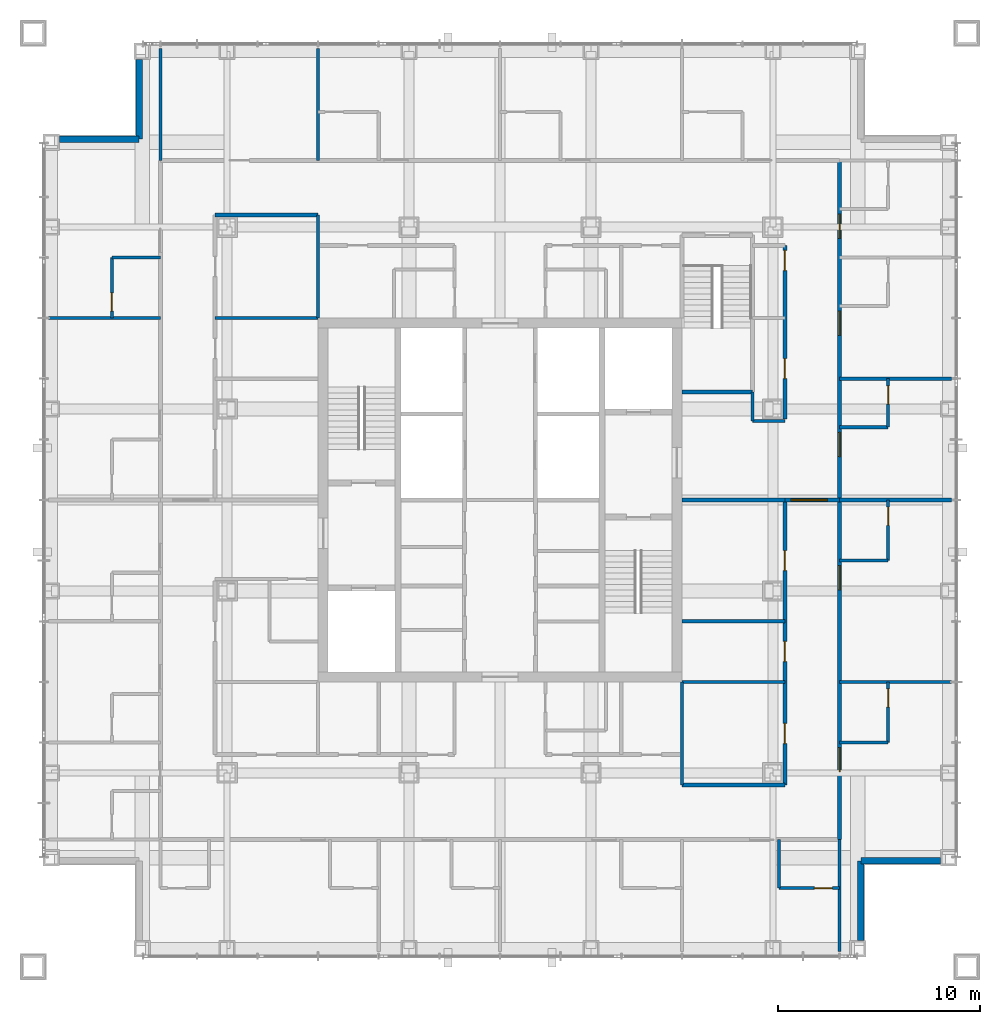
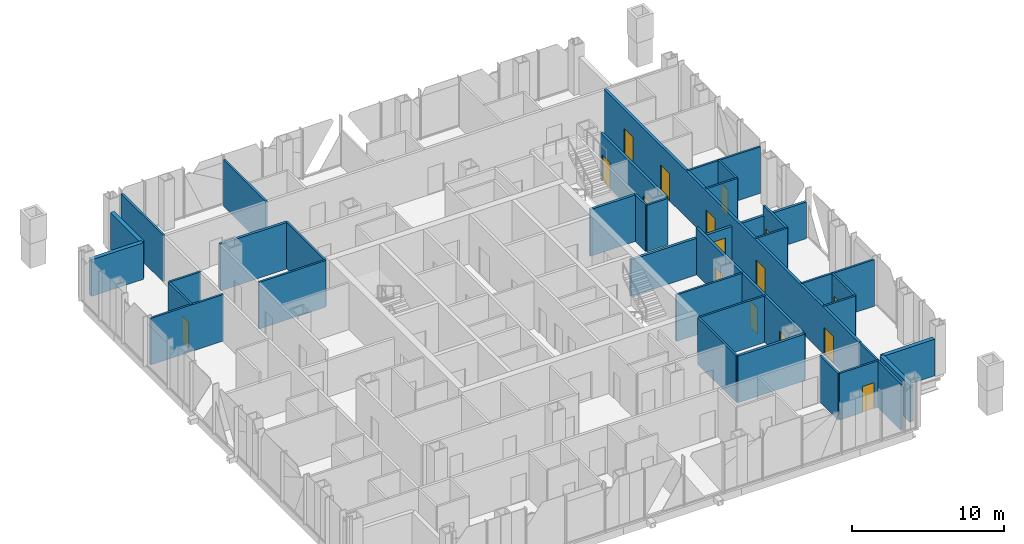
# One storey, part 10 of 25: 36 walls, 16 doors, 16 openings.
"""IFC4 building model written with IfcOpenShell, lengths in metres."""

import ifcopenshell
import ifcopenshell.guid

model = None  # the IFC model being written
_history = None  # IfcOwnerHistory: only IFC2X3 demands one
_inside = {}  # id of a spatial element -> (the spatial element, [elements in it])
_under = {}  # id of a project, library or spatial element -> (it, [spatial elements below it])
_declared = {}  # id of a project -> (the project, [libraries it declares])
_typed = {}  # id of a type object -> (the type object, [elements of that type])
_made_of = {}  # id of a material, layer set ... -> (it, [elements and type objects made of it])


def new_model(schema):
    """Start an empty IFC model of exactly this schema.

    Asked for "IFC4X3", IfcOpenShell would pick the latest addendum, in which some entities
    have other attributes; the version numbers below select the first issue.
    IFC2X3 requires an IfcOwnerHistory on every rooted entity: one is made here for all.
    """
    global model, _history
    if schema == "IFC4X3":
        model = ifcopenshell.file(schema_version=(4, 3, 0, 0))
    else:
        model = ifcopenshell.file(schema=schema)
    _inside.clear()
    _under.clear()
    _declared.clear()
    _typed.clear()
    _made_of.clear()
    _history = None
    if model.schema == "IFC2X3":
        org = make("IfcOrganization", Name="unknown")
        user = make(
            "IfcPersonAndOrganization",
            ThePerson=make("IfcPerson", FamilyName="unknown"),
            TheOrganization=org,
        )
        app = make(
            "IfcApplication",
            ApplicationDeveloper=org,
            Version="unknown",
            ApplicationFullName="unknown",
            ApplicationIdentifier="unknown",
        )
        _history = make(
            "IfcOwnerHistory",
            OwningUser=user,
            OwningApplication=app,
            ChangeAction="ADDED",
            CreationDate=0,
        )
    return model


def make(cls, **values):
    """One entity of the class cls with the attributes given. An attribute that is None is left unset."""
    return model.create_entity(
        cls, **{name: value for name, value in values.items() if value is not None}
    )


def rooted(cls, **values):
    """An entity with a GlobalId (a new one), such as an element, a storey or a relation."""
    return make(cls, GlobalId=ifcopenshell.guid.new(), OwnerHistory=_history, **values)


def si_unit(unit_type, name, prefix=None):
    """IfcSIUnit, for example si_unit("LENGTHUNIT", "METRE", prefix="MILLI")."""
    return make("IfcSIUnit", UnitType=unit_type, Prefix=prefix, Name=name)


def assignment(units):
    """IfcUnitAssignment: the units of a project."""
    return None if units is None else make("IfcUnitAssignment", Units=units)


def point(xyz):
    """IfcCartesianPoint."""
    return None if xyz is None else make("IfcCartesianPoint", Coordinates=xyz)


def direction(xyz):
    """IfcDirection."""
    return None if xyz is None else make("IfcDirection", DirectionRatios=xyz)


def frame(location, z_axis=None, x_axis=None):
    """IfcAxis2Placement3D, a coordinate frame: its origin and axes. An axis left out is left unset."""
    return make(
        "IfcAxis2Placement3D",
        Location=point(location),
        Axis=direction(z_axis),
        RefDirection=direction(x_axis),
    )


def frame_2d(location, x_axis=None):
    """IfcAxis2Placement2D, a coordinate frame in the plane: its origin and x axis."""
    return make(
        "IfcAxis2Placement2D", Location=point(location), RefDirection=direction(x_axis)
    )


def origin():
    """The frame at (0, 0, 0) with its axes left unset."""
    return frame((0.0, 0.0, 0.0))


def place(relative_to, where):
    """IfcLocalPlacement: puts the frame where relative to a parent placement (None: the world)."""
    return make(
        "IfcLocalPlacement", PlacementRelTo=relative_to, RelativePlacement=where
    )


def context(
    kind, dimensions, precision=None, world=None, true_north=None, identifier=None
):
    """IfcGeometricRepresentationContext, for example the 3D "Model" context."""
    return make(
        "IfcGeometricRepresentationContext",
        ContextIdentifier=identifier,
        ContextType=kind,
        CoordinateSpaceDimension=dimensions,
        Precision=precision,
        WorldCoordinateSystem=world,
        TrueNorth=true_north,
    )


def subcontext(parent, identifier, kind, view, scale=None):
    """IfcGeometricRepresentationSubContext, for example "Body" below "Model"."""
    return make(
        "IfcGeometricRepresentationSubContext",
        ContextIdentifier=identifier,
        ContextType=kind,
        ParentContext=parent,
        TargetScale=scale,
        TargetView=view,
    )


def project(units=None, contexts=None):
    """IfcProject with its units and contexts."""
    return rooted(
        "IfcProject",
        Name="project",
        RepresentationContexts=contexts,
        UnitsInContext=assignment(units),
    )


def spatial(cls, under=None, at=None, **own):
    """A site, building, storey or space (cls), placed at a placement, below another one or the project."""
    s = rooted(cls, ObjectPlacement=at, **own)
    if under is not None:
        _under.setdefault(under.id(), (under, []))[1].append(s)
    return s


def profile(cls, at=None, kind="AREA", **sizes):
    """A parametric profile (cls). Its sizes go by their IFC names, for example OverallWidth=200.0."""
    return make(cls, ProfileType=kind, Position=at, **sizes)


def rectangle(**sizes):
    """IfcRectangleProfileDef."""
    return profile("IfcRectangleProfileDef", **sizes)


def extrude(swept, where, along, depth):
    """IfcExtrudedAreaSolid: the profile swept, set in the frame where, extruded along a direction by depth."""
    return make(
        "IfcExtrudedAreaSolid",
        SweptArea=swept,
        Position=where,
        ExtrudedDirection=direction(along),
        Depth=depth,
    )


def shape(context_of_items, identifier, shape_type, items):
    """IfcShapeRepresentation: the items that make up one representation, for example the "Body"."""
    return make(
        "IfcShapeRepresentation",
        ContextOfItems=context_of_items,
        RepresentationIdentifier=identifier,
        RepresentationType=shape_type,
        Items=items,
    )


def material(Name=None, Category=None):
    """IfcMaterial."""
    return make("IfcMaterial", Name=Name, Category=Category)


def layer(
    of_material, thickness, ventilated=None, Name=None, Category=None, Priority=None
):
    """IfcMaterialLayer: one layer of a wall or slab, of a material (None: an air gap)."""
    return make(
        "IfcMaterialLayer",
        Material=of_material,
        LayerThickness=thickness,
        IsVentilated=ventilated,
        Name=Name,
        Category=Category,
        Priority=Priority,
    )


def layer_set(layers, Name=None):
    """IfcMaterialLayerSet."""
    return make("IfcMaterialLayerSet", MaterialLayers=layers, LayerSetName=Name)


def made_of(thing, what):
    """Note that an element or type object is made of a material, layer set ...; save() writes the relation."""
    if what is not None:
        _made_of.setdefault(what.id(), (what, []))[1].append(thing)
    return thing


def type_object(cls, material=None, **own):
    """A type object (cls), such as IfcWallType, which elements share."""
    return made_of(rooted(cls, **own), material)


def element(
    cls,
    number,
    at=None,
    inside=None,
    cuts=None,
    type_object=None,
    material=None,
    context=None,
    identifier="Body",
    shape_type=None,
    held_by="IfcProductDefinitionShape",
    body=None,
    shapes=None,
    **own,
):
    """One element of the class cls, such as IfcWall. Its Tag is "e" and its number.

    at: its placement. inside: the storey or other place that contains it. cuts: it is an
    opening in that element (IfcRelVoidsElement). A single representation is given by context,
    identifier, shape_type and body (its items); several are given by shapes. held_by: the class
    of the entity that holds the representations. save() writes the other relations.
    """
    e = rooted(cls, Tag="e%d" % number, ObjectPlacement=at, **own)
    if body is not None:
        shapes = [shape(context, identifier, shape_type, body)]
    if shapes is not None:
        e.Representation = make(held_by, Representations=shapes)
    if inside is not None:
        _inside.setdefault(inside.id(), (inside, []))[1].append(e)
    if cuts is not None:
        rooted(
            "IfcRelVoidsElement", RelatingBuildingElement=cuts, RelatedOpeningElement=e
        )
    if type_object is not None:
        _typed.setdefault(type_object.id(), (type_object, []))[1].append(e)
    return made_of(e, material)


def fill(opening, filler):
    """IfcRelFillsElement: the door or window that sits in an opening."""
    return rooted(
        "IfcRelFillsElement",
        RelatingOpeningElement=opening,
        RelatedBuildingElement=filler,
    )


def aggregate(whole, parts):
    """IfcRelAggregates: a whole, such as a stair, and the parts it consists of."""
    return rooted("IfcRelAggregates", RelatingObject=whole, RelatedObjects=parts)


def save(model, path):
    """Write the relations noted so far, then the file.

    IfcRelAggregates (storeys below a building ...), IfcRelContainedInSpatialStructure (elements
    in a storey), IfcRelDefinesByType, IfcRelAssociatesMaterial and IfcRelDeclares: one each for
    every whole, place, type object, material and project.
    """
    for whole, parts in _under.values():
        aggregate(whole, parts)
    for where, things in _inside.values():
        rooted(
            "IfcRelContainedInSpatialStructure",
            RelatedElements=things,
            RelatingStructure=where,
        )
    for kind, things in _typed.values():
        rooted("IfcRelDefinesByType", RelatedObjects=things, RelatingType=kind)
    for what, things in _made_of.values():
        rooted("IfcRelAssociatesMaterial", RelatedObjects=things, RelatingMaterial=what)
    for by, libraries in _declared.values():
        rooted("IfcRelDeclares", RelatingContext=by, RelatedDefinitions=libraries)
    model.write(path)


model = new_model("IFC4")

# Units and contexts
model_context = context("Model", 3, precision=1e-05, world=origin(), true_north=direction((0.0, 1.0)))
body_context = subcontext(model_context, "Body", "Model", "MODEL_VIEW")
ifc_project = project(units=[si_unit("LENGTHUNIT", "METRE"), si_unit("AREAUNIT", "SQUARE_METRE"), si_unit("VOLUMEUNIT", "CUBIC_METRE"), si_unit("PLANEANGLEUNIT", "RADIAN"), si_unit("MASSUNIT", "GRAM", prefix="KILO")], contexts=[model_context])

# Site, building, storey
site_placement = place(None, origin())
site = spatial("IfcSite", under=ifc_project, at=site_placement, CompositionType="ELEMENT")
building_placement = place(site_placement, origin())
building = spatial("IfcBuilding", under=site, at=building_placement, Name="Malebo Sky Hospital", CompositionType="ELEMENT")
storey_placement = place(building_placement, frame((0.0, 0.0, 241.0)))
storey = spatial("IfcBuildingStorey", under=building, at=storey_placement, Name="L58", CompositionType="ELEMENT", Elevation=241.0)

# Walls
ifc_material_1 = material(Name="Gypsum board on steel studs", Category="steel")
ifc_layer_1 = layer(ifc_material_1, 0.199951171875)
ifc_layer_set_1 = layer_set([ifc_layer_1], Name="CORRIDOR WALL 200")
wall_type_1 = type_object("IfcWallType", Name="CORRIDOR WALL 200", PredefinedType="PARTITIONING", material=ifc_layer_set_1)
for number, where, z_axis, x_axis, name in (
    (1, (45.89990234375, 76.10009765625, 0.0), (0.0, 0.0, 1.0), (1.0, 0.0, 0.0), "Corridor Wall 200 NCIK"),
    (2, (74.10009765625, 47.89990234375, 0.0), (0.0, 0.0, 1.0), (-1.0, 0.0, 0.0), "Corridor Wall 200 SCIK"),
):
    element("IfcWall", number, at=place(storey_placement, frame(where, z_axis=z_axis, x_axis=x_axis)), inside=storey, type_object=wall_type_1, Name=name, PredefinedType="PARTITIONING", context=body_context, shape_type="SweptSolid", body=[
        extrude(rectangle(XDim=5.10009765625, YDim=0.199951171875, at=frame_2d((2.550048828125, 0.0))), origin(), (0.0, 0.0, 1.0), 3.75),
    ])

# Wall, openings, doors
wall_1_placement = place(storey_placement, frame((76.800048828125, 78.800048828125, 0.0), z_axis=(0.0, 0.0, 1.0), x_axis=(0.0, -1.0, 0.0)))
wall_1 = element("IfcWall", 3, at=wall_1_placement, inside=storey, type_object=wall_type_1, Name="Corridor Wall 200 ECO", PredefinedType="PARTITIONING", context=body_context, shape_type="SweptSolid", body=[
    extrude(rectangle(XDim=33.60009765625, YDim=0.199951171875, at=frame_2d((16.800048828125, 0.0))), origin(), (0.0, 0.0, 1.0), 3.75),
])
opening_1_placement = place(wall_1_placement, frame((2.64990234375, 0.0, 0.0)))
opening_1 = element("IfcOpeningElement", 4, at=opening_1_placement, cuts=wall_1, Name="Opening D01", PredefinedType="OPENING", context=body_context, shape_type="SweptSolid", body=[
    extrude(rectangle(XDim=1.199951171875, YDim=2.199951171875, at=frame_2d((0.60009765625, 1.10009765625))), frame((0.0, 0.10986328125, 0.0), z_axis=(0.0, -1.0, 0.0), x_axis=(1.0, 0.0, 0.0)), (0.0, 0.0, 1.0), 0.219970703125),
])
opening_2_placement = place(wall_1_placement, frame((7.449951171875, 0.0, 0.0)))
opening_2 = element("IfcOpeningElement", 5, at=opening_2_placement, cuts=wall_1, Name="Opening D01", PredefinedType="OPENING", context=body_context, shape_type="SweptSolid", body=[
    extrude(rectangle(XDim=1.199951171875, YDim=2.199951171875, at=frame_2d((0.60009765625, 1.10009765625))), frame((0.0, 0.10986328125, 0.0), z_axis=(0.0, -1.0, 0.0), x_axis=(1.0, 0.0, 0.0)), (0.0, 0.0, 1.0), 0.219970703125),
])
opening_3_placement = place(wall_1_placement, frame((13.449951171875, 0.0, 0.0)))
opening_3 = element("IfcOpeningElement", 6, at=opening_3_placement, cuts=wall_1, Name="Opening D01", PredefinedType="OPENING", context=body_context, shape_type="SweptSolid", body=[
    extrude(rectangle(XDim=1.199951171875, YDim=2.199951171875, at=frame_2d((0.60009765625, 1.10009765625))), frame((0.0, 0.10986328125, 0.0), z_axis=(0.0, -1.0, 0.0), x_axis=(1.0, 0.0, 0.0)), (0.0, 0.0, 1.0), 0.219970703125),
])
opening_4_placement = place(wall_1_placement, frame((20.050048828125, 0.0, 0.0)))
opening_4 = element("IfcOpeningElement", 7, at=opening_4_placement, cuts=wall_1, Name="Opening D01", PredefinedType="OPENING", context=body_context, shape_type="SweptSolid", body=[
    extrude(rectangle(XDim=1.199951171875, YDim=2.199951171875, at=frame_2d((0.60009765625, 1.10009765625))), frame((0.0, 0.10986328125, 0.0), z_axis=(0.0, -1.0, 0.0), x_axis=(1.0, 0.0, 0.0)), (0.0, 0.0, 1.0), 0.219970703125),
])
opening_5_placement = place(wall_1_placement, frame((29.050048828125, 0.0, 0.0)))
opening_5 = element("IfcOpeningElement", 8, at=opening_5_placement, cuts=wall_1, Name="Opening D01", PredefinedType="OPENING", context=body_context, shape_type="SweptSolid", body=[
    extrude(rectangle(XDim=1.199951171875, YDim=2.199951171875, at=frame_2d((0.60009765625, 1.10009765625))), frame((0.0, 0.10986328125, 0.0), z_axis=(0.0, -1.0, 0.0), x_axis=(1.0, 0.0, 0.0)), (0.0, 0.0, 1.0), 0.219970703125),
])
ifc_material_2 = material(Name="Hardwood-faced door leaf in steel frame", Category="steel")
door_type_1 = type_object("IfcDoorType", Name="BED DOOR 1200", OperationType="SINGLE_SWING_LEFT", PredefinedType="DOOR", material=ifc_material_2)
door_1_placement = place(opening_1_placement, origin())
door_1 = element("IfcDoor", 9, at=door_1_placement, inside=storey, type_object=door_type_1, Name="Single bed room door", OperationType="SINGLE_SWING_LEFT", OverallHeight=2.199951171875, OverallWidth=1.199951171875, PredefinedType="DOOR", context=body_context, shape_type="SweptSolid", body=[
    extrude(rectangle(XDim=1.199951171875, YDim=2.199951171875, at=frame_2d((0.60009765625, 1.10009765625))), frame((0.0, 0.02490234375, 0.0), z_axis=(0.0, -1.0, 0.0), x_axis=(1.0, 0.0, 0.0)), (0.0, 0.0, 1.0), 0.050048828125),
])
fill(opening_1, door_1)
door_2_placement = place(opening_2_placement, origin())
door_2 = element("IfcDoor", 10, at=door_2_placement, inside=storey, type_object=door_type_1, Name="Single bed room door", OperationType="SINGLE_SWING_LEFT", OverallHeight=2.199951171875, OverallWidth=1.199951171875, PredefinedType="DOOR", context=body_context, shape_type="SweptSolid", body=[
    extrude(rectangle(XDim=1.199951171875, YDim=2.199951171875, at=frame_2d((0.60009765625, 1.10009765625))), frame((0.0, 0.02490234375, 0.0), z_axis=(0.0, -1.0, 0.0), x_axis=(1.0, 0.0, 0.0)), (0.0, 0.0, 1.0), 0.050048828125),
])
fill(opening_2, door_2)
door_3_placement = place(opening_3_placement, origin())
door_3 = element("IfcDoor", 11, at=door_3_placement, inside=storey, type_object=door_type_1, Name="Parent room door", OperationType="SINGLE_SWING_LEFT", OverallHeight=2.199951171875, OverallWidth=1.199951171875, PredefinedType="DOOR", context=body_context, shape_type="SweptSolid", body=[
    extrude(rectangle(XDim=1.199951171875, YDim=2.199951171875, at=frame_2d((0.60009765625, 1.10009765625))), frame((0.0, 0.02490234375, 0.0), z_axis=(0.0, -1.0, 0.0), x_axis=(1.0, 0.0, 0.0)), (0.0, 0.0, 1.0), 0.050048828125),
])
fill(opening_3, door_3)
door_4_placement = place(opening_4_placement, origin())
door_4 = element("IfcDoor", 12, at=door_4_placement, inside=storey, type_object=door_type_1, Name="Two-bed room door", OperationType="SINGLE_SWING_LEFT", OverallHeight=2.199951171875, OverallWidth=1.199951171875, PredefinedType="DOOR", context=body_context, shape_type="SweptSolid", body=[
    extrude(rectangle(XDim=1.199951171875, YDim=2.199951171875, at=frame_2d((0.60009765625, 1.10009765625))), frame((0.0, 0.02490234375, 0.0), z_axis=(0.0, -1.0, 0.0), x_axis=(1.0, 0.0, 0.0)), (0.0, 0.0, 1.0), 0.050048828125),
])
fill(opening_4, door_4)
door_5_placement = place(opening_5_placement, origin())
door_5 = element("IfcDoor", 13, at=door_5_placement, inside=storey, type_object=door_type_1, Name="Two-bed room door", OperationType="SINGLE_SWING_LEFT", OverallHeight=2.199951171875, OverallWidth=1.199951171875, PredefinedType="DOOR", context=body_context, shape_type="SweptSolid", body=[
    extrude(rectangle(XDim=1.199951171875, YDim=2.199951171875, at=frame_2d((0.60009765625, 1.10009765625))), frame((0.0, 0.02490234375, 0.0), z_axis=(0.0, -1.0, 0.0), x_axis=(1.0, 0.0, 0.0)), (0.0, 0.0, 1.0), 0.050048828125),
])
fill(opening_5, door_5)

wall_2_placement = place(storey_placement, frame((74.10009765625, 74.60009765625, 0.0), z_axis=(0.0, 0.0, 1.0), x_axis=(0.0, -1.0, 0.0)))
wall_2 = element("IfcWall", 14, at=wall_2_placement, inside=storey, type_object=wall_type_1, Name="Corridor Wall 200 ECI1", PredefinedType="PARTITIONING", context=body_context, shape_type="SweptSolid", body=[
    extrude(rectangle(XDim=8.60009765625, YDim=0.199951171875, at=frame_2d((4.300048828125, 0.0))), origin(), (0.0, 0.0, 1.0), 3.75),
])
opening_6_placement = place(wall_2_placement, frame((0.25, 0.0, 0.0)))
opening_6 = element("IfcOpeningElement", 15, at=opening_6_placement, cuts=wall_2, Name="Opening D03", PredefinedType="OPENING", context=body_context, shape_type="SweptSolid", body=[
    extrude(rectangle(XDim=1.0, YDim=2.10009765625, at=frame_2d((0.5, 1.050048828125))), frame((0.0, 0.10986328125, 0.0), z_axis=(0.0, -1.0, 0.0), x_axis=(1.0, 0.0, 0.0)), (0.0, 0.0, 1.0), 0.219970703125),
])
opening_7_placement = place(wall_2_placement, frame((5.60009765625, 0.0, 0.0)))
opening_7 = element("IfcOpeningElement", 16, at=opening_7_placement, cuts=wall_2, Name="Opening D03", PredefinedType="OPENING", context=body_context, shape_type="SweptSolid", body=[
    extrude(rectangle(XDim=1.0, YDim=2.10009765625, at=frame_2d((0.5, 1.050048828125))), frame((0.0, 0.10986328125, 0.0), z_axis=(0.0, -1.0, 0.0), x_axis=(1.0, 0.0, 0.0)), (0.0, 0.0, 1.0), 0.219970703125),
])
door_type_2 = type_object("IfcDoorType", Name="ROOM DOOR 1000", OperationType="SINGLE_SWING_LEFT", PredefinedType="DOOR", material=ifc_material_2)
door_6_placement = place(opening_6_placement, origin())
door_6 = element("IfcDoor", 17, at=door_6_placement, inside=storey, type_object=door_type_2, Name="Milk kitchen door", OperationType="SINGLE_SWING_LEFT", OverallHeight=2.10009765625, OverallWidth=1.0, PredefinedType="DOOR", context=body_context, shape_type="SweptSolid", body=[
    extrude(rectangle(XDim=1.0, YDim=2.10009765625, at=frame_2d((0.5, 1.050048828125))), frame((0.0, 0.02490234375, 0.0), z_axis=(0.0, -1.0, 0.0), x_axis=(1.0, 0.0, 0.0)), (0.0, 0.0, 1.0), 0.050048828125),
])
fill(opening_6, door_6)
door_7_placement = place(opening_7_placement, origin())
door_7 = element("IfcDoor", 18, at=door_7_placement, inside=storey, type_object=door_type_2, Name="Interview room door", OperationType="SINGLE_SWING_LEFT", OverallHeight=2.10009765625, OverallWidth=1.0, PredefinedType="DOOR", context=body_context, shape_type="SweptSolid", body=[
    extrude(rectangle(XDim=1.0, YDim=2.10009765625, at=frame_2d((0.5, 1.050048828125))), frame((0.0, 0.02490234375, 0.0), z_axis=(0.0, -1.0, 0.0), x_axis=(1.0, 0.0, 0.0)), (0.0, 0.0, 1.0), 0.050048828125),
])
fill(opening_7, door_7)

wall_3_placement = place(storey_placement, frame((74.10009765625, 62.0, 0.0), z_axis=(0.0, 0.0, 1.0), x_axis=(0.0, -1.0, 0.0)))
wall_3 = element("IfcWall", 19, at=wall_3_placement, inside=storey, type_object=wall_type_1, Name="Corridor Wall 200 ECI2", PredefinedType="PARTITIONING", context=body_context, shape_type="SweptSolid", body=[
    extrude(rectangle(XDim=14.10009765625, YDim=0.199951171875, at=frame_2d((7.050048828125, 0.0))), origin(), (0.0, 0.0, 1.0), 3.75),
])
opening_8_placement = place(wall_3_placement, frame((2.5, 0.0, 0.0)))
opening_8 = element("IfcOpeningElement", 20, at=opening_8_placement, cuts=wall_3, Name="Opening D03", PredefinedType="OPENING", context=body_context, shape_type="SweptSolid", body=[
    extrude(rectangle(XDim=1.0, YDim=2.10009765625, at=frame_2d((0.5, 1.050048828125))), frame((0.0, 0.10986328125, 0.0), z_axis=(0.0, -1.0, 0.0), x_axis=(1.0, 0.0, 0.0)), (0.0, 0.0, 1.0), 0.219970703125),
])
opening_9_placement = place(wall_3_placement, frame((7.0, 0.0, 0.0)))
opening_9 = element("IfcOpeningElement", 21, at=opening_9_placement, cuts=wall_3, Name="Opening D03", PredefinedType="OPENING", context=body_context, shape_type="SweptSolid", body=[
    extrude(rectangle(XDim=1.0, YDim=2.10009765625, at=frame_2d((0.5, 1.050048828125))), frame((0.0, 0.10986328125, 0.0), z_axis=(0.0, -1.0, 0.0), x_axis=(1.0, 0.0, 0.0)), (0.0, 0.0, 1.0), 0.219970703125),
])
opening_10_placement = place(wall_3_placement, frame((11.050048828125, 0.0, 0.0)))
opening_10 = element("IfcOpeningElement", 22, at=opening_10_placement, cuts=wall_3, Name="Opening D03", PredefinedType="OPENING", context=body_context, shape_type="SweptSolid", body=[
    extrude(rectangle(XDim=1.0, YDim=2.10009765625, at=frame_2d((0.5, 1.050048828125))), frame((0.0, 0.10986328125, 0.0), z_axis=(0.0, -1.0, 0.0), x_axis=(1.0, 0.0, 0.0)), (0.0, 0.0, 1.0), 0.219970703125),
])
door_8_placement = place(opening_8_placement, origin())
door_8 = element("IfcDoor", 23, at=door_8_placement, inside=storey, type_object=door_type_2, Name="Staff rest room door", OperationType="SINGLE_SWING_LEFT", OverallHeight=2.10009765625, OverallWidth=1.0, PredefinedType="DOOR", context=body_context, shape_type="SweptSolid", body=[
    extrude(rectangle(XDim=1.0, YDim=2.10009765625, at=frame_2d((0.5, 1.050048828125))), frame((0.0, 0.02490234375, 0.0), z_axis=(0.0, -1.0, 0.0), x_axis=(1.0, 0.0, 0.0)), (0.0, 0.0, 1.0), 0.050048828125),
])
fill(opening_8, door_8)
door_9_placement = place(opening_9_placement, origin())
door_9 = element("IfcDoor", 24, at=door_9_placement, inside=storey, type_object=door_type_2, Name="Equipment store door", OperationType="SINGLE_SWING_LEFT", OverallHeight=2.10009765625, OverallWidth=1.0, PredefinedType="DOOR", context=body_context, shape_type="SweptSolid", body=[
    extrude(rectangle(XDim=1.0, YDim=2.10009765625, at=frame_2d((0.5, 1.050048828125))), frame((0.0, 0.02490234375, 0.0), z_axis=(0.0, -1.0, 0.0), x_axis=(1.0, 0.0, 0.0)), (0.0, 0.0, 1.0), 0.050048828125),
])
fill(opening_9, door_9)
door_10_placement = place(opening_10_placement, origin())
door_10 = element("IfcDoor", 25, at=door_10_placement, inside=storey, type_object=door_type_2, Name="Infant equipment store door", OperationType="SINGLE_SWING_RIGHT", OverallHeight=2.10009765625, OverallWidth=1.0, PredefinedType="DOOR", context=body_context, shape_type="SweptSolid", body=[
    extrude(rectangle(XDim=1.0, YDim=2.10009765625, at=frame_2d((0.5, 1.050048828125))), frame((0.0, 0.02490234375, 0.0), z_axis=(0.0, -1.0, 0.0), x_axis=(1.0, 0.0, 0.0)), (0.0, 0.0, 1.0), 0.050048828125),
])
fill(opening_10, door_10)

# Walls
ifc_material_3 = material(Name="Anodised aluminium rainscreen on steel framing", Category="steel")
ifc_layer_2 = layer(ifc_material_3, 0.300048828125)
ifc_layer_set_2 = layer_set([ifc_layer_2], Name="NOTCH RAINSCREEN WALL 300")
wall_type_2 = type_object("IfcWallType", Name="NOTCH RAINSCREEN WALL 300", PredefinedType="ELEMENTEDWALL", material=ifc_layer_set_2)
for number, where, z_axis, x_axis, name in (
    (26, (38.199951171875, 79.85009765625, 0.0), (0.0, 0.0, 1.0), (1.0, 0.0, 0.0), "Notch rainscreen wall W1 L58"),
    (27, (42.14990234375, 79.85009765625, 0.0), (0.0, 0.0, 1.0), (0.0, 1.0, 0.0), "Notch rainscreen wall W2 L58"),
    (28, (81.800048828125, 44.14990234375, 0.0), (0.0, 0.0, 1.0), (-1.0, 0.0, 0.0), "Notch rainscreen wall E1 L58"),
    (29, (77.85009765625, 44.14990234375, 0.0), (0.0, 0.0, 1.0), (0.0, -1.0, 0.0), "Notch rainscreen wall E2 L58"),
):
    element("IfcWall", number, at=place(storey_placement, frame(where, z_axis=z_axis, x_axis=x_axis)), inside=storey, type_object=wall_type_2, Name=name, PredefinedType="ELEMENTEDWALL", context=body_context, shape_type="SweptSolid", body=[
        extrude(rectangle(XDim=3.949951171875, YDim=0.300048828125, at=frame_2d((1.97509765625, 0.0))), origin(), (0.0, 0.0, 1.0), 2.949951171875),
    ])
ifc_layer_3 = layer(ifc_material_1, 0.14990234375)
ifc_layer_set_3 = layer_set([ifc_layer_3], Name="PARTITION 150")
wall_type_3 = type_object("IfcWallType", Name="PARTITION 150", PredefinedType="PARTITIONING", material=ifc_layer_set_3)
for number, where, z_axis, x_axis, name in (
    (30, (51.0, 78.800048828125, 0.0), (0.0, 0.0, 1.0), (0.0, 1.0, 0.0), "Partition 150 NP-9.0"),
    (31, (43.199951171875, 78.800048828125, 0.0), (0.0, 0.0, 1.0), (0.0, 1.0, 0.0), "Partition 150 NP0"),
):
    element("IfcWall", number, at=place(storey_placement, frame(where, z_axis=z_axis, x_axis=x_axis)), inside=storey, type_object=wall_type_3, Name=name, PredefinedType="PARTITIONING", context=body_context, shape_type="SweptSolid", body=[
        extrude(rectangle(XDim=5.550048828125, YDim=0.14990234375, at=frame_2d((2.77490234375, 0.0))), origin(), (0.0, 0.0, 1.0), 3.75),
    ])
wall_4_placement = place(storey_placement, frame((51.0, 71.0, 0.0), z_axis=(0.0, 0.0, 1.0), x_axis=(0.0, 1.0, 0.0)))
element("IfcWall", 32, at=wall_4_placement, inside=storey, type_object=wall_type_3, Name="Partition 150 NSP0", PredefinedType="PARTITIONING", context=body_context, shape_type="SweptSolid", body=[
    extrude(rectangle(XDim=5.10009765625, YDim=0.14990234375, at=frame_2d((2.550048828125, 0.0))), origin(), (0.0, 0.0, 1.0), 3.75),
])
wall_5_placement = place(storey_placement, frame((43.199951171875, 71.0, 0.0), z_axis=(0.0, 0.0, 1.0), x_axis=(-1.0, 0.0, 0.0)))
element("IfcWall", 33, at=wall_5_placement, inside=storey, type_object=wall_type_3, Name="Partition 150 WP+9.0", PredefinedType="PARTITIONING", context=body_context, shape_type="SweptSolid", body=[
    extrude(rectangle(XDim=5.550048828125, YDim=0.14990234375, at=frame_2d((2.77490234375, 0.0))), origin(), (0.0, 0.0, 1.0), 3.75),
])

# Wall, opening, door
wall_6_placement = place(storey_placement, frame((40.800048828125, 71.0, 0.0), z_axis=(0.0, 0.0, 1.0), x_axis=(0.0, 1.0, 0.0)))
wall_6 = element("IfcWall", 34, at=wall_6_placement, inside=storey, type_object=wall_type_3, Name="Partition 150 WE4F", PredefinedType="PARTITIONING", context=body_context, shape_type="SweptSolid", body=[
    extrude(rectangle(XDim=3.0, YDim=0.14990234375, at=frame_2d((1.5, 0.0))), origin(), (0.0, 0.0, 1.0), 3.75),
])
opening_11_placement = place(wall_6_placement, frame((0.35009765625, 0.0, 0.0)))
opening_11 = element("IfcOpeningElement", 35, at=opening_11_placement, cuts=wall_6, Name="Opening D02", PredefinedType="OPENING", context=body_context, shape_type="SweptSolid", body=[
    extrude(rectangle(XDim=0.89990234375, YDim=2.10009765625, at=frame_2d((0.449951171875, 1.050048828125))), frame((0.0, 0.0849609375, 0.0), z_axis=(0.0, -1.0, 0.0), x_axis=(1.0, 0.0, 0.0)), (0.0, 0.0, 1.0), 0.169921875),
])
door_type_3 = type_object("IfcDoorType", Name="EN-SUITE DOOR 900", OperationType="SINGLE_SWING_LEFT", PredefinedType="DOOR", material=ifc_material_2)
door_11_placement = place(opening_11_placement, origin())
door_11 = element("IfcDoor", 36, at=door_11_placement, inside=storey, type_object=door_type_3, Name="En-suite door", OperationType="SINGLE_SWING_LEFT", OverallHeight=2.10009765625, OverallWidth=0.89990234375, PredefinedType="DOOR", context=body_context, shape_type="SweptSolid", body=[
    extrude(rectangle(XDim=0.89990234375, YDim=2.10009765625, at=frame_2d((0.449951171875, 1.050048828125))), frame((0.0, 0.02490234375, 0.0), z_axis=(0.0, -1.0, 0.0), x_axis=(1.0, 0.0, 0.0)), (0.0, 0.0, 1.0), 0.050048828125),
])
fill(opening_11, door_11)

# Walls
wall_7_placement = place(storey_placement, frame((43.199951171875, 74.0, 0.0), z_axis=(0.0, 0.0, 1.0), x_axis=(-1.0, 0.0, 0.0)))
element("IfcWall", 37, at=wall_7_placement, inside=storey, type_object=wall_type_3, Name="Partition 150 WE4S", PredefinedType="PARTITIONING", context=body_context, shape_type="SweptSolid", body=[
    extrude(rectangle(XDim=2.39990234375, YDim=0.14990234375, at=frame_2d((1.199951171875, 0.0))), origin(), (0.0, 0.0, 1.0), 3.75),
])
wall_8_placement = place(storey_placement, frame((51.0, 71.0, 0.0), z_axis=(0.0, 0.0, 1.0), x_axis=(-1.0, 0.0, 0.0)))
element("IfcWall", 38, at=wall_8_placement, inside=storey, type_object=wall_type_3, Name="Partition 150 WSP+9.0", PredefinedType="PARTITIONING", context=body_context, shape_type="SweptSolid", body=[
    extrude(rectangle(XDim=5.10009765625, YDim=0.14990234375, at=frame_2d((2.550048828125, 0.0))), origin(), (0.0, 0.0, 1.0), 3.75),
])
wall_9_placement = place(storey_placement, frame((76.800048828125, 45.199951171875, 0.0), z_axis=(0.0, 0.0, 1.0), x_axis=(0.0, -1.0, 0.0)))
element("IfcWall", 39, at=wall_9_placement, inside=storey, type_object=wall_type_3, Name="Partition 150 SP0", PredefinedType="PARTITIONING", context=body_context, shape_type="SweptSolid", body=[
    extrude(rectangle(XDim=5.550048828125, YDim=0.14990234375, at=frame_2d((2.77490234375, 0.0))), origin(), (0.0, 0.0, 1.0), 3.75),
])

# Wall, opening, door
wall_10_placement = place(storey_placement, frame((76.800048828125, 42.800048828125, 0.0), z_axis=(0.0, 0.0, 1.0), x_axis=(-1.0, 0.0, 0.0)))
wall_10 = element("IfcWall", 40, at=wall_10_placement, inside=storey, type_object=wall_type_3, Name="Partition 150 SE0F", PredefinedType="PARTITIONING", context=body_context, shape_type="SweptSolid", body=[
    extrude(rectangle(XDim=3.0, YDim=0.14990234375, at=frame_2d((1.5, 0.0))), origin(), (0.0, 0.0, 1.0), 3.75),
])
opening_12_placement = place(wall_10_placement, frame((0.35009765625, 0.0, 0.0)))
opening_12 = element("IfcOpeningElement", 41, at=opening_12_placement, cuts=wall_10, Name="Opening D02", PredefinedType="OPENING", context=body_context, shape_type="SweptSolid", body=[
    extrude(rectangle(XDim=0.89990234375, YDim=2.10009765625, at=frame_2d((0.449951171875, 1.050048828125))), frame((0.0, 0.0849609375, 0.0), z_axis=(0.0, -1.0, 0.0), x_axis=(1.0, 0.0, 0.0)), (0.0, 0.0, 1.0), 0.169921875),
])
door_12_placement = place(opening_12_placement, origin())
door_12 = element("IfcDoor", 42, at=door_12_placement, inside=storey, type_object=door_type_3, Name="En-suite door", OperationType="SINGLE_SWING_LEFT", OverallHeight=2.10009765625, OverallWidth=0.89990234375, PredefinedType="DOOR", context=body_context, shape_type="SweptSolid", body=[
    extrude(rectangle(XDim=0.89990234375, YDim=2.10009765625, at=frame_2d((0.449951171875, 1.050048828125))), frame((0.0, 0.02490234375, 0.0), z_axis=(0.0, -1.0, 0.0), x_axis=(1.0, 0.0, 0.0)), (0.0, 0.0, 1.0), 0.050048828125),
])
fill(opening_12, door_12)

# Walls
wall_11_placement = place(storey_placement, frame((73.800048828125, 45.199951171875, 0.0), z_axis=(0.0, 0.0, 1.0), x_axis=(0.0, -1.0, 0.0)))
element("IfcWall", 43, at=wall_11_placement, inside=storey, type_object=wall_type_3, Name="Partition 150 SE0S", PredefinedType="PARTITIONING", context=body_context, shape_type="SweptSolid", body=[
    extrude(rectangle(XDim=2.39990234375, YDim=0.14990234375, at=frame_2d((1.199951171875, 0.0))), origin(), (0.0, 0.0, 1.0), 3.75),
])
wall_12_placement = place(storey_placement, frame((69.0, 53.0, 0.0), z_axis=(0.0, 0.0, 1.0), x_axis=(0.0, -1.0, 0.0)))
element("IfcWall", 44, at=wall_12_placement, inside=storey, type_object=wall_type_3, Name="Partition 150 SSP0", PredefinedType="PARTITIONING", context=body_context, shape_type="SweptSolid", body=[
    extrude(rectangle(XDim=5.10009765625, YDim=0.14990234375, at=frame_2d((2.550048828125, 0.0))), origin(), (0.0, 0.0, 1.0), 3.75),
])
for number, where, z_axis, x_axis, name in (
    (45, (76.800048828125, 68.0, 0.0), (0.0, 0.0, 1.0), (1.0, 0.0, 0.0), "Partition 150 EP-6.0"),
    (46, (76.800048828125, 53.0, 0.0), (0.0, 0.0, 1.0), (1.0, 0.0, 0.0), "Partition 150 EP+9.0"),
):
    element("IfcWall", number, at=place(storey_placement, frame(where, z_axis=z_axis, x_axis=x_axis)), inside=storey, type_object=wall_type_3, Name=name, PredefinedType="PARTITIONING", context=body_context, shape_type="SweptSolid", body=[
        extrude(rectangle(XDim=5.550048828125, YDim=0.14990234375, at=frame_2d((2.77490234375, 0.0))), origin(), (0.0, 0.0, 1.0), 3.75),
    ])

# Wall, opening, door
wall_13_placement = place(storey_placement, frame((79.199951171875, 68.0, 0.0), z_axis=(0.0, 0.0, 1.0), x_axis=(0.0, -1.0, 0.0)))
wall_13 = element("IfcWall", 47, at=wall_13_placement, inside=storey, type_object=wall_type_3, Name="Partition 150 EE2F", PredefinedType="PARTITIONING", context=body_context, shape_type="SweptSolid", body=[
    extrude(rectangle(XDim=2.39990234375, YDim=0.14990234375, at=frame_2d((1.199951171875, 0.0))), origin(), (0.0, 0.0, 1.0), 3.75),
])
opening_13_placement = place(wall_13_placement, frame((0.35009765625, 0.0, 0.0)))
opening_13 = element("IfcOpeningElement", 48, at=opening_13_placement, cuts=wall_13, Name="Opening D02", PredefinedType="OPENING", context=body_context, shape_type="SweptSolid", body=[
    extrude(rectangle(XDim=0.89990234375, YDim=2.10009765625, at=frame_2d((0.449951171875, 1.050048828125))), frame((0.0, 0.0849609375, 0.0), z_axis=(0.0, -1.0, 0.0), x_axis=(1.0, 0.0, 0.0)), (0.0, 0.0, 1.0), 0.169921875),
])
door_13_placement = place(opening_13_placement, origin())
door_13 = element("IfcDoor", 49, at=door_13_placement, inside=storey, type_object=door_type_3, Name="En-suite door", OperationType="SINGLE_SWING_LEFT", OverallHeight=2.10009765625, OverallWidth=0.89990234375, PredefinedType="DOOR", context=body_context, shape_type="SweptSolid", body=[
    extrude(rectangle(XDim=0.89990234375, YDim=2.10009765625, at=frame_2d((0.449951171875, 1.050048828125))), frame((0.0, 0.02490234375, 0.0), z_axis=(0.0, -1.0, 0.0), x_axis=(1.0, 0.0, 0.0)), (0.0, 0.0, 1.0), 0.050048828125),
])
fill(opening_13, door_13)

# Wall
wall_14_placement = place(storey_placement, frame((76.800048828125, 65.60009765625, 0.0), z_axis=(0.0, 0.0, 1.0), x_axis=(1.0, 0.0, 0.0)))
element("IfcWall", 50, at=wall_14_placement, inside=storey, type_object=wall_type_3, Name="Partition 150 EE2S", PredefinedType="PARTITIONING", context=body_context, shape_type="SweptSolid", body=[
    extrude(rectangle(XDim=2.39990234375, YDim=0.14990234375, at=frame_2d((1.199951171875, 0.0))), origin(), (0.0, 0.0, 1.0), 3.75),
])

# Wall, opening, door
wall_15_placement = place(storey_placement, frame((79.199951171875, 62.0, 0.0), z_axis=(0.0, 0.0, 1.0), x_axis=(0.0, -1.0, 0.0)))
wall_15 = element("IfcWall", 51, at=wall_15_placement, inside=storey, type_object=wall_type_3, Name="Partition 150 EE3F", PredefinedType="PARTITIONING", context=body_context, shape_type="SweptSolid", body=[
    extrude(rectangle(XDim=3.0, YDim=0.14990234375, at=frame_2d((1.5, 0.0))), origin(), (0.0, 0.0, 1.0), 3.75),
])
opening_14_placement = place(wall_15_placement, frame((0.35009765625, 0.0, 0.0)))
opening_14 = element("IfcOpeningElement", 52, at=opening_14_placement, cuts=wall_15, Name="Opening D02", PredefinedType="OPENING", context=body_context, shape_type="SweptSolid", body=[
    extrude(rectangle(XDim=0.89990234375, YDim=2.10009765625, at=frame_2d((0.449951171875, 1.050048828125))), frame((0.0, 0.0849609375, 0.0), z_axis=(0.0, -1.0, 0.0), x_axis=(1.0, 0.0, 0.0)), (0.0, 0.0, 1.0), 0.169921875),
])
door_14_placement = place(opening_14_placement, origin())
door_14 = element("IfcDoor", 53, at=door_14_placement, inside=storey, type_object=door_type_3, Name="En-suite door", OperationType="SINGLE_SWING_LEFT", OverallHeight=2.10009765625, OverallWidth=0.89990234375, PredefinedType="DOOR", context=body_context, shape_type="SweptSolid", body=[
    extrude(rectangle(XDim=0.89990234375, YDim=2.10009765625, at=frame_2d((0.449951171875, 1.050048828125))), frame((0.0, 0.02490234375, 0.0), z_axis=(0.0, -1.0, 0.0), x_axis=(1.0, 0.0, 0.0)), (0.0, 0.0, 1.0), 0.050048828125),
])
fill(opening_14, door_14)

# Wall
wall_16_placement = place(storey_placement, frame((76.800048828125, 59.0, 0.0), z_axis=(0.0, 0.0, 1.0), x_axis=(1.0, 0.0, 0.0)))
element("IfcWall", 54, at=wall_16_placement, inside=storey, type_object=wall_type_3, Name="Partition 150 EE3S", PredefinedType="PARTITIONING", context=body_context, shape_type="SweptSolid", body=[
    extrude(rectangle(XDim=2.39990234375, YDim=0.14990234375, at=frame_2d((1.199951171875, 0.0))), origin(), (0.0, 0.0, 1.0), 3.75),
])

# Wall, opening, door
wall_17_placement = place(storey_placement, frame((79.199951171875, 53.0, 0.0), z_axis=(0.0, 0.0, 1.0), x_axis=(0.0, -1.0, 0.0)))
wall_17 = element("IfcWall", 55, at=wall_17_placement, inside=storey, type_object=wall_type_3, Name="Partition 150 EE4F", PredefinedType="PARTITIONING", context=body_context, shape_type="SweptSolid", body=[
    extrude(rectangle(XDim=3.0, YDim=0.14990234375, at=frame_2d((1.5, 0.0))), origin(), (0.0, 0.0, 1.0), 3.75),
])
opening_15_placement = place(wall_17_placement, frame((0.35009765625, 0.0, 0.0)))
opening_15 = element("IfcOpeningElement", 56, at=opening_15_placement, cuts=wall_17, Name="Opening D02", PredefinedType="OPENING", context=body_context, shape_type="SweptSolid", body=[
    extrude(rectangle(XDim=0.89990234375, YDim=2.10009765625, at=frame_2d((0.449951171875, 1.050048828125))), frame((0.0, 0.0849609375, 0.0), z_axis=(0.0, -1.0, 0.0), x_axis=(1.0, 0.0, 0.0)), (0.0, 0.0, 1.0), 0.169921875),
])
door_15_placement = place(opening_15_placement, origin())
door_15 = element("IfcDoor", 57, at=door_15_placement, inside=storey, type_object=door_type_3, Name="En-suite door", OperationType="SINGLE_SWING_LEFT", OverallHeight=2.10009765625, OverallWidth=0.89990234375, PredefinedType="DOOR", context=body_context, shape_type="SweptSolid", body=[
    extrude(rectangle(XDim=0.89990234375, YDim=2.10009765625, at=frame_2d((0.449951171875, 1.050048828125))), frame((0.0, 0.02490234375, 0.0), z_axis=(0.0, -1.0, 0.0), x_axis=(1.0, 0.0, 0.0)), (0.0, 0.0, 1.0), 0.050048828125),
])
fill(opening_15, door_15)

# Walls
wall_18_placement = place(storey_placement, frame((76.800048828125, 50.0, 0.0), z_axis=(0.0, 0.0, 1.0), x_axis=(1.0, 0.0, 0.0)))
element("IfcWall", 58, at=wall_18_placement, inside=storey, type_object=wall_type_3, Name="Partition 150 EE4S", PredefinedType="PARTITIONING", context=body_context, shape_type="SweptSolid", body=[
    extrude(rectangle(XDim=2.39990234375, YDim=0.14990234375, at=frame_2d((1.199951171875, 0.0))), origin(), (0.0, 0.0, 1.0), 3.75),
])
wall_19_placement = place(storey_placement, frame((72.5, 65.89990234375, 0.0), z_axis=(0.0, 0.0, 1.0), x_axis=(1.0, 0.0, 0.0)))
element("IfcWall", 59, at=wall_19_placement, inside=storey, type_object=wall_type_3, Name="Partition 150 ESPA", PredefinedType="PARTITIONING", context=body_context, shape_type="SweptSolid", body=[
    extrude(rectangle(XDim=1.60009765625, YDim=0.14990234375, at=frame_2d((0.800048828125, 0.0))), origin(), (0.0, 0.0, 1.0), 3.75),
])
for number, where, z_axis, x_axis, name in (
    (60, (69.0, 56.0, 0.0), (0.0, 0.0, 1.0), (1.0, 0.0, 0.0), "Partition 150 ESP+6.0"),
    (61, (69.0, 53.0, 0.0), (0.0, 0.0, 1.0), (1.0, 0.0, 0.0), "Partition 150 ESP+9.0"),
):
    element("IfcWall", number, at=place(storey_placement, frame(where, z_axis=z_axis, x_axis=x_axis)), inside=storey, type_object=wall_type_3, Name=name, PredefinedType="PARTITIONING", context=body_context, shape_type="SweptSolid", body=[
        extrude(rectangle(XDim=5.10009765625, YDim=0.14990234375, at=frame_2d((2.550048828125, 0.0))), origin(), (0.0, 0.0, 1.0), 3.75),
    ])
wall_20_placement = place(storey_placement, frame((72.5, 65.89990234375, 0.0), z_axis=(0.0, 0.0, 1.0), x_axis=(0.0, 1.0, 0.0)))
element("IfcWall", 62, at=wall_20_placement, inside=storey, type_object=wall_type_3, Name="Partition 150 ST3C", PredefinedType="PARTITIONING", context=body_context, shape_type="SweptSolid", body=[
    extrude(rectangle(XDim=1.4501953125, YDim=0.14990234375, at=frame_2d((0.72509765625, 0.0))), origin(), (0.0, 0.0, 1.0), 3.75),
])
ifc_material_4 = material(Name="Concrete blockwork", Category="masonry")
ifc_layer_4 = layer(ifc_material_4, 0.199951171875)
ifc_layer_set_4 = layer_set([ifc_layer_4], Name="SMOKE BARRIER WALL 200")
wall_type_4 = type_object("IfcWallType", Name="SMOKE BARRIER WALL 200", PredefinedType="SOLIDWALL", material=ifc_layer_set_4)
wall_21_placement = place(storey_placement, frame((76.800048828125, 62.0, 0.0), z_axis=(0.0, 0.0, 1.0), x_axis=(1.0, 0.0, 0.0)))
element("IfcWall", 63, at=wall_21_placement, inside=storey, type_object=wall_type_4, Name="Smoke Barrier Wall 200 EP+0.0", PredefinedType="SOLIDWALL", context=body_context, shape_type="SweptSolid", body=[
    extrude(rectangle(XDim=5.550048828125, YDim=0.199951171875, at=frame_2d((2.77490234375, 0.0))), origin(), (0.0, 0.0, 1.0), 2.949951171875),
])
wall_22_placement = place(storey_placement, frame((69.0, 62.0, 0.0), z_axis=(0.0, 0.0, 1.0), x_axis=(1.0, 0.0, 0.0)))
element("IfcWall", 64, at=wall_22_placement, inside=storey, type_object=wall_type_4, Name="Smoke Barrier Wall 200 ESPB", PredefinedType="SOLIDWALL", context=body_context, shape_type="SweptSolid", body=[
    extrude(rectangle(XDim=5.10009765625, YDim=0.199951171875, at=frame_2d((2.550048828125, 0.0))), origin(), (0.0, 0.0, 1.0), 2.949951171875),
])

# Wall, opening, door
wall_23_placement = place(storey_placement, frame((74.10009765625, 62.0, 0.0), z_axis=(0.0, 0.0, 1.0), x_axis=(1.0, 0.0, 0.0)))
wall_23 = element("IfcWall", 65, at=wall_23_placement, inside=storey, type_object=wall_type_4, Name="Smoke Barrier Wall 200 ESB", PredefinedType="SOLIDWALL", context=body_context, shape_type="SweptSolid", body=[
    extrude(rectangle(XDim=2.699951171875, YDim=0.199951171875, at=frame_2d((1.35009765625, 0.0))), origin(), (0.0, 0.0, 1.0), 2.949951171875),
])
opening_16_placement = place(wall_23_placement, frame((0.300048828125, 0.0, 0.0)))
opening_16 = element("IfcOpeningElement", 66, at=opening_16_placement, cuts=wall_23, Name="Opening D05", PredefinedType="OPENING", context=body_context, shape_type="SweptSolid", body=[
    extrude(rectangle(XDim=1.800048828125, YDim=2.199951171875, at=frame_2d((0.89990234375, 1.10009765625))), frame((0.0, 0.10986328125, 0.0), z_axis=(0.0, -1.0, 0.0), x_axis=(1.0, 0.0, 0.0)), (0.0, 0.0, 1.0), 0.219970703125),
])
door_type_4 = type_object("IfcDoorType", Name="SMOKE DOOR PAIR 1800", OperationType="DOUBLE_DOOR_DOUBLE_SWING", PredefinedType="DOOR", material=ifc_material_2)
door_16_placement = place(opening_16_placement, origin())
door_16 = element("IfcDoor", 67, at=door_16_placement, inside=storey, type_object=door_type_4, Name="Smoke compartment door pair", OperationType="DOUBLE_DOOR_DOUBLE_SWING", OverallHeight=2.199951171875, OverallWidth=1.800048828125, PredefinedType="DOOR", context=body_context, shape_type="SweptSolid", body=[
    extrude(rectangle(XDim=1.800048828125, YDim=2.199951171875, at=frame_2d((0.89990234375, 1.10009765625))), frame((0.0, 0.02490234375, 0.0), z_axis=(0.0, -1.0, 0.0), x_axis=(1.0, 0.0, 0.0)), (0.0, 0.0, 1.0), 0.050048828125),
])
fill(opening_16, door_16)

# Wall
ifc_material_5 = material(Name="Concrete C40/50", Category="concrete")
ifc_layer_5 = layer(ifc_material_5, 0.199951171875)
ifc_layer_set_5 = layer_set([ifc_layer_5], Name="STAIR ENCLOSURE WALL 200")
wall_type_5 = type_object("IfcWallType", Name="STAIR ENCLOSURE WALL 200", PredefinedType="SOLIDWALL", material=ifc_layer_set_5)
wall_24_placement = place(storey_placement, frame((69.0, 67.35009765625, 0.0), z_axis=(0.0, 0.0, 1.0), x_axis=(1.0, 0.0, 0.0)))
element("IfcWall", 68, at=wall_24_placement, inside=storey, type_object=wall_type_5, Name="Stair Enclosure Wall 200 ST3S", PredefinedType="SOLIDWALL", context=body_context, shape_type="SweptSolid", body=[
    extrude(rectangle(XDim=3.5, YDim=0.199951171875, at=frame_2d((1.75, 0.0))), origin(), (0.0, 0.0, 1.0), 3.75),
])

save(model, "model.ifc")
